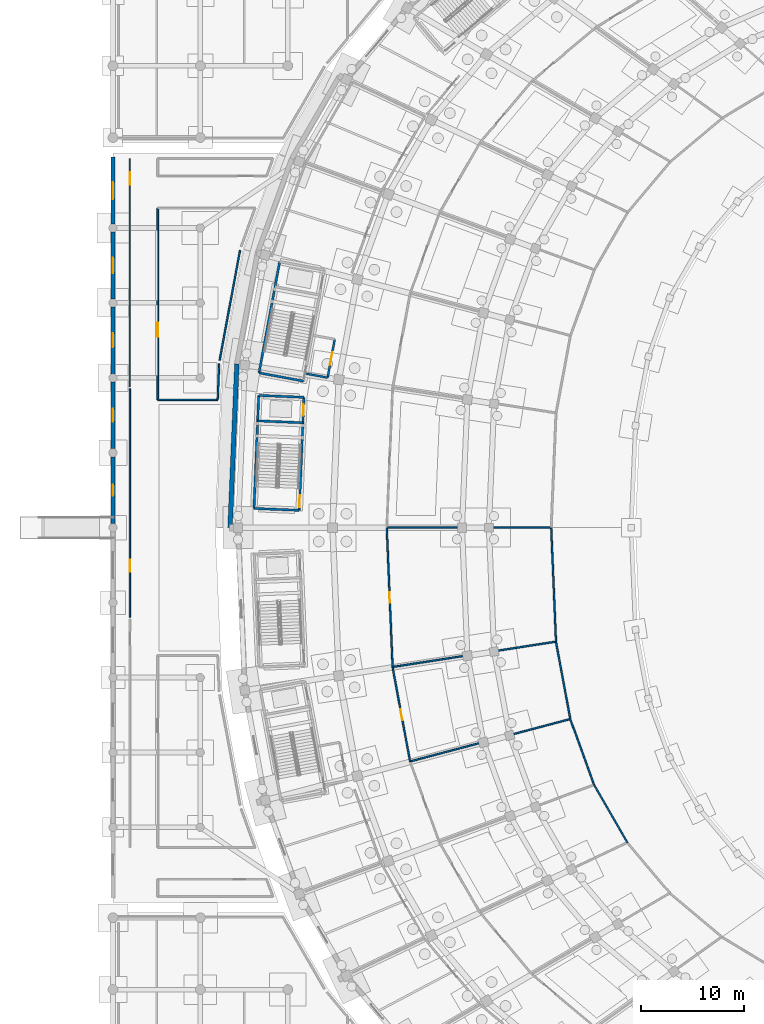
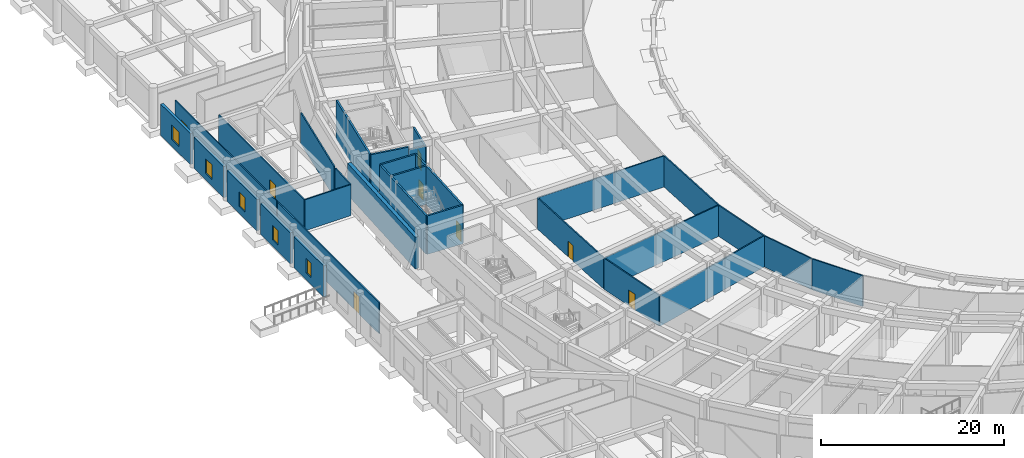
# One storey, part 46 of 88: 30 walls, 8 doors, 5 windows, 13 openings.
"""IFC4 building model written with IfcOpenShell, lengths in metres."""

from ifc_helpers import new_model, si_unit, direction, frame, frame_2d, origin, place, context, subcontext, project, spatial, rectangle, extrude, material, layer, layer_set, type_object, element, fill, save


model = new_model("IFC4")

# Units and contexts
model_context = context("Model", 3, precision=1e-05, world=origin(), true_north=direction((0.0, 1.0)))
body_context = subcontext(model_context, "Body", "Model", "MODEL_VIEW")
ifc_project = project(units=[si_unit("LENGTHUNIT", "METRE"), si_unit("AREAUNIT", "SQUARE_METRE"), si_unit("VOLUMEUNIT", "CUBIC_METRE"), si_unit("PLANEANGLEUNIT", "RADIAN"), si_unit("MASSUNIT", "GRAM", prefix="KILO")], contexts=[model_context])

# Site, building, storey
site_placement = place(None, origin())
site = spatial("IfcSite", under=ifc_project, at=site_placement, CompositionType="ELEMENT")
building_placement = place(site_placement, origin())
building = spatial("IfcBuilding", under=site, at=building_placement, Name="Mphavela Belvedere Stadium", CompositionType="ELEMENT")
storey_placement = place(building_placement, origin())
storey = spatial("IfcBuildingStorey", under=building, at=storey_placement, Name="L00", CompositionType="ELEMENT", Elevation=0.0)

# Walls
ifc_material_1 = material(Name="Concrete C40/50", Category="concrete")
ifc_layer_1 = layer(ifc_material_1, 0.219970703125)
ifc_layer_set_1 = layer_set([ifc_layer_1], Name="Concrete C40/50")
wall_type_1 = type_object("IfcWallType", Name="WAL-CORE-SHEAR-220", PredefinedType="SHEAR", material=ifc_layer_set_1)
wall_1_placement = place(storey_placement, frame((14.228271484375, 102.085205078125, 0.0), z_axis=(0.0, 0.0, 1.0), x_axis=(0.182574755222, 0.983191974517, 0.0)))
element("IfcWall", 1, at=wall_1_placement, inside=storey, type_object=wall_type_1, Name="Core C06 shear wall L00 rear", PredefinedType="SHEAR", context=body_context, shape_type="SweptSolid", body=[
    extrude(rectangle(XDim=11.02001953125, YDim=0.219970703125, at=frame_2d((5.510009765625, 0.0))), origin(), (0.0, 0.0, 1.0), 5.14990234375),
])
wall_2_placement = place(storey_placement, frame((18.56396484375, 101.27978515625, 0.0), z_axis=(0.0, 0.0, 1.0), x_axis=(-0.983179789985, 0.182640358532, 0.0)))
element("IfcWall", 2, at=wall_2_placement, inside=storey, type_object=wall_type_1, Name="Core C06 shear wall L00 left", PredefinedType="SHEAR", context=body_context, shape_type="SweptSolid", body=[
    extrude(rectangle(XDim=4.409912109375, YDim=0.219970703125, at=frame_2d((2.205078125, 0.0))), origin(), (0.0, 0.0, 1.0), 5.14990234375),
])
wall_3_placement = place(storey_placement, frame((13.737548828125, 88.87548828125, 0.0), z_axis=(0.0, 0.0, 1.0), x_axis=(0.041871977473, 0.999122984173, 0.0)))
element("IfcWall", 3, at=wall_3_placement, inside=storey, type_object=wall_type_1, Name="Core C07 shear wall L00 rear", PredefinedType="SHEAR", context=body_context, shape_type="SweptSolid", body=[
    extrude(rectangle(XDim=11.02001953125, YDim=0.219970703125, at=frame_2d((5.510009765625, 0.0))), origin(), (0.0, 0.0, 1.0), 5.14990234375),
])
wall_4_placement = place(storey_placement, frame((18.143798828125, 88.69091796875, 0.0), z_axis=(0.0, 0.0, 1.0), x_axis=(-0.999123838087, 0.041851596941, 0.0)))
element("IfcWall", 4, at=wall_4_placement, inside=storey, type_object=wall_type_1, Name="Core C07 shear wall L00 left", PredefinedType="SHEAR", context=body_context, shape_type="SweptSolid", body=[
    extrude(rectangle(XDim=4.41015625, YDim=0.219970703125, at=frame_2d((2.205078125, 0.0))), origin(), (0.0, 0.0, 1.0), 5.14990234375),
])
wall_5_placement = place(storey_placement, frame((18.60498046875, 99.701171875, 0.0), z_axis=(0.0, 0.0, 1.0), x_axis=(-0.999123741114, 0.041853911912, 0.0)))
element("IfcWall", 5, at=wall_5_placement, inside=storey, type_object=wall_type_1, Name="Core C07 shear wall L00 right", PredefinedType="SHEAR", context=body_context, shape_type="SweptSolid", body=[
    extrude(rectangle(XDim=4.409912109375, YDim=0.219970703125, at=frame_2d((2.205078125, 0.0))), origin(), (0.0, 0.0, 1.0), 5.14990234375),
])

# Wall, openings, doors
wall_6_placement = place(storey_placement, frame((18.143798828125, 88.69091796875, 0.0), z_axis=(0.0, 0.0, 1.0), x_axis=(0.0418498618, 0.999123910768, 0.0)))
wall_6 = element("IfcWall", 6, at=wall_6_placement, inside=storey, type_object=wall_type_1, Name="Core C07 shear wall L00 front", PredefinedType="SHEAR", context=body_context, shape_type="SweptSolid", body=[
    extrude(rectangle(XDim=11.02001953125, YDim=0.219970703125, at=frame_2d((5.510009765625, 0.0))), origin(), (0.0, 0.0, 1.0), 5.14990234375),
])
opening_1_placement = place(wall_6_placement, frame((0.300048828125, 0.0, 0.0)))
opening_1 = element("IfcOpeningElement", 7, at=opening_1_placement, cuts=wall_6, Name="Opening SD-033", PredefinedType="OPENING", context=body_context, shape_type="SweptSolid", body=[
    extrude(rectangle(XDim=1.14990234375, YDim=2.14990234375, at=frame_2d((0.574951171875, 1.074951171875))), frame((0.0, 0.1201171875, 0.0), z_axis=(0.0, -1.0, 0.0), x_axis=(1.0, 0.0, 0.0)), (0.0, 0.0, 1.0), 0.239990234375),
])
opening_2_placement = place(wall_6_placement, frame((9.22998046875, 0.0, 0.0)))
opening_2 = element("IfcOpeningElement", 8, at=opening_2_placement, cuts=wall_6, Name="Opening LD-033", PredefinedType="OPENING", context=body_context, shape_type="SweptSolid", body=[
    extrude(rectangle(XDim=1.10009765625, YDim=2.14990234375, at=frame_2d((0.550048828125, 1.074951171875))), frame((0.0, 0.1201171875, 0.0), z_axis=(0.0, -1.0, 0.0), x_axis=(1.0, 0.0, 0.0)), (0.0, 0.0, 1.0), 0.239990234375),
])
ifc_material_2 = material(Name="Stainless steel center-parting lift landing door", Category="steel")
door_type_1 = type_object("IfcDoorType", Name="DR-LIFT-SLIDE-1100", OperationType="NOTDEFINED", PredefinedType="DOOR", material=ifc_material_2)
door_1_placement = place(opening_2_placement, origin())
door_1 = element("IfcDoor", 9, at=door_1_placement, inside=storey, type_object=door_type_1, Name="Lift landing sliding door PL03 L00", OperationType="DOUBLE_DOOR_SLIDING", OverallHeight=2.14990234375, OverallWidth=1.10009765625, PredefinedType="DOOR", context=body_context, shape_type="SweptSolid", body=[
    extrude(rectangle(XDim=1.10009765625, YDim=2.14990234375, at=frame_2d((0.550048828125, 1.074951171875))), frame((0.0, 0.02490234375, 0.0), z_axis=(0.0, -1.0, 0.0), x_axis=(1.0, 0.0, 0.0)), (0.0, 0.0, 1.0), 0.050048828125),
])
fill(opening_2, door_1)
ifc_material_3 = material(Name="Steel acoustic fire-resisting stair doorset", Category="steel")
door_type_2 = type_object("IfcDoorType", Name="DR-STAIR-FIRE-1150", OperationType="NOTDEFINED", PredefinedType="DOOR", material=ifc_material_3)
door_2_placement = place(opening_1_placement, origin())
door_2 = element("IfcDoor", 10, at=door_2_placement, inside=storey, type_object=door_type_2, Name="Escape stair fire door C07 L00", OperationType="SINGLE_SWING_LEFT", OverallHeight=2.14990234375, OverallWidth=1.14990234375, PredefinedType="DOOR", context=body_context, shape_type="SweptSolid", body=[
    extrude(rectangle(XDim=1.14990234375, YDim=2.14990234375, at=frame_2d((0.574951171875, 1.074951171875))), frame((0.0, 0.02490234375, 0.0), z_axis=(0.0, -1.0, 0.0), x_axis=(1.0, 0.0, 0.0)), (0.0, 0.0, 1.0), 0.050048828125),
])
fill(opening_1, door_2)

# Wall
wall_7_placement = place(storey_placement, frame((18.501220703125, 97.223388671875, 0.0), z_axis=(0.0, 0.0, 1.0), x_axis=(-0.999123741114, 0.041853911912, 0.0)))
element("IfcWall", 11, at=wall_7_placement, inside=storey, type_object=wall_type_1, Name="Core C07 shear wall L00 div", PredefinedType="SHEAR", context=body_context, shape_type="SweptSolid", body=[
    extrude(rectangle(XDim=4.409912109375, YDim=0.219970703125, at=frame_2d((2.205078125, 0.0))), origin(), (0.0, 0.0, 1.0), 5.14990234375),
])

# Wall, opening, window
ifc_material_4 = material(Name="Honed ashlar limestone masonry", Category="masonry")
ifc_layer_2 = layer(ifc_material_4, 0.35009765625)
ifc_layer_set_2 = layer_set([ifc_layer_2], Name="Honed ashlar limestone masonry")
wall_type_2 = type_object("IfcWallType", Name="WAL-EXT-ASHLAR-350", PredefinedType="STANDARD", material=ifc_layer_set_2)
wall_8_placement = place(storey_placement, frame((0.0, 87.39794921875, 0.0), z_axis=(0.0, 0.0, 1.0), x_axis=(0.0, 1.0, 0.0)))
wall_8 = element("IfcWall", 12, at=wall_8_placement, inside=storey, type_object=wall_type_2, Name="West Planted Eaves Peristyle Colonnade outer facade bay L00-06", PredefinedType="STANDARD", context=body_context, shape_type="SweptSolid", body=[
    extrude(rectangle(XDim=6.504150390625, YDim=0.35009765625, at=frame_2d((3.251953125, 0.0))), origin(), (0.0, 0.0, 1.0), 4.159912109375),
])
opening_3_placement = place(wall_8_placement, frame((2.701904296875, 0.0, 0.89990234375)))
opening_3 = element("IfcOpeningElement", 13, at=opening_3_placement, cuts=wall_8, Name="Opening W-243", PredefinedType="OPENING", context=body_context, shape_type="SweptSolid", body=[
    extrude(rectangle(XDim=1.10009765625, YDim=1.949951171875, at=frame_2d((0.550048828125, 0.97509765625))), frame((0.0, 0.18505859375, 0.0), z_axis=(0.0, -1.0, 0.0), x_axis=(1.0, 0.0, 0.0)), (0.0, 0.0, 1.0), 0.3701171875),
])
ifc_material_5 = material(Name="Bronze-anodised thermally broken aluminium window", Category="aluminium")
window_type_1 = type_object("IfcWindowType", Name="WIN-EXT-23", PartitioningType="SINGLE_PANEL", PredefinedType="WINDOW", material=ifc_material_5)
window_1_placement = place(opening_3_placement, origin())
window_1 = element("IfcWindow", 14, at=window_1_placement, inside=storey, type_object=window_type_1, Name="West Planted Eaves Peristyle Colonnade classical window W-243", OverallHeight=1.949951171875, OverallWidth=1.10009765625, PartitioningType="SINGLE_PANEL", PredefinedType="WINDOW", context=body_context, shape_type="SweptSolid", body=[
    extrude(rectangle(XDim=1.10009765625, YDim=1.949951171875, at=frame_2d((0.550048828125, 0.97509765625))), frame((0.0, 0.030029296875, 0.0), z_axis=(0.0, -1.0, 0.0), x_axis=(1.0, 0.0, 0.0)), (0.0, 0.0, 1.0), 0.06005859375),
])
fill(opening_3, window_1)

wall_9_placement = place(storey_placement, frame((0.0, 94.697998046875, 0.0), z_axis=(0.0, 0.0, 1.0), x_axis=(0.0, 1.0, 0.0)))
wall_9 = element("IfcWall", 15, at=wall_9_placement, inside=storey, type_object=wall_type_2, Name="West Planted Eaves Peristyle Colonnade outer facade bay L00-07", PredefinedType="STANDARD", context=body_context, shape_type="SweptSolid", body=[
    extrude(rectangle(XDim=6.50390625, YDim=0.35009765625, at=frame_2d((3.251953125, 0.0))), origin(), (0.0, 0.0, 1.0), 4.159912109375),
])
opening_4_placement = place(wall_9_placement, frame((2.632080078125, 0.0, 0.89990234375)))
opening_4 = element("IfcOpeningElement", 16, at=opening_4_placement, cuts=wall_9, Name="Opening W-244", PredefinedType="OPENING", context=body_context, shape_type="SweptSolid", body=[
    extrude(rectangle(XDim=1.239990234375, YDim=1.949951171875, at=frame_2d((0.6201171875, 0.97509765625))), frame((0.0, 0.18505859375, 0.0), z_axis=(0.0, -1.0, 0.0), x_axis=(1.0, 0.0, 0.0)), (0.0, 0.0, 1.0), 0.3701171875),
])
ifc_material_6 = material(Name="Bronze-anodised thermally broken aluminium window", Category="aluminium")
window_type_2 = type_object("IfcWindowType", Name="WIN-EXT-24", PartitioningType="SINGLE_PANEL", PredefinedType="WINDOW", material=ifc_material_6)
window_2_placement = place(opening_4_placement, origin())
window_2 = element("IfcWindow", 17, at=window_2_placement, inside=storey, type_object=window_type_2, Name="West Planted Eaves Peristyle Colonnade classical window W-244", OverallHeight=1.949951171875, OverallWidth=1.239990234375, PartitioningType="SINGLE_PANEL", PredefinedType="WINDOW", context=body_context, shape_type="SweptSolid", body=[
    extrude(rectangle(XDim=1.239990234375, YDim=1.949951171875, at=frame_2d((0.6201171875, 0.97509765625))), frame((0.0, 0.030029296875, 0.0), z_axis=(0.0, -1.0, 0.0), x_axis=(1.0, 0.0, 0.0)), (0.0, 0.0, 1.0), 0.06005859375),
])
fill(opening_4, window_2)

wall_10_placement = place(storey_placement, frame((0.0, 101.998046875, 0.0), z_axis=(0.0, 0.0, 1.0), x_axis=(0.0, 1.0, 0.0)))
wall_10 = element("IfcWall", 18, at=wall_10_placement, inside=storey, type_object=wall_type_2, Name="West Planted Eaves Peristyle Colonnade outer facade bay L00-08", PredefinedType="STANDARD", context=body_context, shape_type="SweptSolid", body=[
    extrude(rectangle(XDim=6.50390625, YDim=0.35009765625, at=frame_2d((3.251953125, 0.0))), origin(), (0.0, 0.0, 1.0), 4.159912109375),
])
opening_5_placement = place(wall_10_placement, frame((2.56201171875, 0.0, 0.89990234375)))
opening_5 = element("IfcOpeningElement", 19, at=opening_5_placement, cuts=wall_10, Name="Opening W-245", PredefinedType="OPENING", context=body_context, shape_type="SweptSolid", body=[
    extrude(rectangle(XDim=1.3798828125, YDim=1.949951171875, at=frame_2d((0.68994140625, 0.97509765625))), frame((0.0, 0.18505859375, 0.0), z_axis=(0.0, -1.0, 0.0), x_axis=(1.0, 0.0, 0.0)), (0.0, 0.0, 1.0), 0.3701171875),
])
ifc_material_7 = material(Name="Bronze-anodised thermally broken aluminium window", Category="aluminium")
window_type_3 = type_object("IfcWindowType", Name="WIN-EXT-25", PartitioningType="SINGLE_PANEL", PredefinedType="WINDOW", material=ifc_material_7)
window_3_placement = place(opening_5_placement, origin())
window_3 = element("IfcWindow", 20, at=window_3_placement, inside=storey, type_object=window_type_3, Name="West Planted Eaves Peristyle Colonnade classical window W-245", OverallHeight=1.949951171875, OverallWidth=1.3798828125, PartitioningType="SINGLE_PANEL", PredefinedType="WINDOW", context=body_context, shape_type="SweptSolid", body=[
    extrude(rectangle(XDim=1.3798828125, YDim=1.949951171875, at=frame_2d((0.68994140625, 0.97509765625))), frame((0.0, 0.030029296875, 0.0), z_axis=(0.0, -1.0, 0.0), x_axis=(1.0, 0.0, 0.0)), (0.0, 0.0, 1.0), 0.06005859375),
])
fill(opening_5, window_3)

wall_11_placement = place(storey_placement, frame((0.0, 109.298095703125, 0.0), z_axis=(0.0, 0.0, 1.0), x_axis=(0.0, 1.0, 0.0)))
wall_11 = element("IfcWall", 21, at=wall_11_placement, inside=storey, type_object=wall_type_2, Name="West Planted Eaves Peristyle Colonnade outer facade bay L00-09", PredefinedType="STANDARD", context=body_context, shape_type="SweptSolid", body=[
    extrude(rectangle(XDim=6.50390625, YDim=0.35009765625, at=frame_2d((3.251953125, 0.0))), origin(), (0.0, 0.0, 1.0), 4.159912109375),
])
opening_6_placement = place(wall_11_placement, frame((2.491943359375, 0.0, 0.89990234375)))
opening_6 = element("IfcOpeningElement", 22, at=opening_6_placement, cuts=wall_11, Name="Opening W-246", PredefinedType="OPENING", context=body_context, shape_type="SweptSolid", body=[
    extrude(rectangle(XDim=1.52001953125, YDim=1.949951171875, at=frame_2d((0.760009765625, 0.97509765625))), frame((0.0, 0.18505859375, 0.0), z_axis=(0.0, -1.0, 0.0), x_axis=(1.0, 0.0, 0.0)), (0.0, 0.0, 1.0), 0.3701171875),
])
ifc_material_8 = material(Name="Bronze-anodised thermally broken aluminium window", Category="aluminium")
window_type_4 = type_object("IfcWindowType", Name="WIN-EXT-26", PartitioningType="SINGLE_PANEL", PredefinedType="WINDOW", material=ifc_material_8)
window_4_placement = place(opening_6_placement, origin())
window_4 = element("IfcWindow", 23, at=window_4_placement, inside=storey, type_object=window_type_4, Name="West Planted Eaves Peristyle Colonnade classical window W-246", OverallHeight=1.949951171875, OverallWidth=1.52001953125, PartitioningType="SINGLE_PANEL", PredefinedType="WINDOW", context=body_context, shape_type="SweptSolid", body=[
    extrude(rectangle(XDim=1.52001953125, YDim=1.949951171875, at=frame_2d((0.760009765625, 0.97509765625))), frame((0.0, 0.030029296875, 0.0), z_axis=(0.0, -1.0, 0.0), x_axis=(1.0, 0.0, 0.0)), (0.0, 0.0, 1.0), 0.06005859375),
])
fill(opening_6, window_4)

wall_12_placement = place(storey_placement, frame((0.0, 116.597900390625, 0.0), z_axis=(0.0, 0.0, 1.0), x_axis=(0.0, 1.0, 0.0)))
wall_12 = element("IfcWall", 24, at=wall_12_placement, inside=storey, type_object=wall_type_2, Name="West Planted Eaves Peristyle Colonnade outer facade bay L00-10", PredefinedType="STANDARD", context=body_context, shape_type="SweptSolid", body=[
    extrude(rectangle(XDim=6.504150390625, YDim=0.35009765625, at=frame_2d((3.251953125, 0.0))), origin(), (0.0, 0.0, 1.0), 4.159912109375),
])
opening_7_placement = place(wall_12_placement, frame((2.422119140625, 0.0, 0.89990234375)))
opening_7 = element("IfcOpeningElement", 25, at=opening_7_placement, cuts=wall_12, Name="Opening W-247", PredefinedType="OPENING", context=body_context, shape_type="SweptSolid", body=[
    extrude(rectangle(XDim=1.659912109375, YDim=1.949951171875, at=frame_2d((0.830078125, 0.97509765625))), frame((0.0, 0.18505859375, 0.0), z_axis=(0.0, -1.0, 0.0), x_axis=(1.0, 0.0, 0.0)), (0.0, 0.0, 1.0), 0.3701171875),
])
ifc_material_9 = material(Name="Bronze-anodised thermally broken aluminium window", Category="aluminium")
window_type_5 = type_object("IfcWindowType", Name="WIN-EXT-27", PartitioningType="SINGLE_PANEL", PredefinedType="WINDOW", material=ifc_material_9)
window_5_placement = place(opening_7_placement, origin())
window_5 = element("IfcWindow", 26, at=window_5_placement, inside=storey, type_object=window_type_5, Name="West Planted Eaves Peristyle Colonnade classical window W-247", OverallHeight=1.949951171875, OverallWidth=1.659912109375, PartitioningType="SINGLE_PANEL", PredefinedType="WINDOW", context=body_context, shape_type="SweptSolid", body=[
    extrude(rectangle(XDim=1.659912109375, YDim=1.949951171875, at=frame_2d((0.830078125, 0.97509765625))), frame((0.0, 0.030029296875, 0.0), z_axis=(0.0, -1.0, 0.0), x_axis=(1.0, 0.0, 0.0)), (0.0, 0.0, 1.0), 0.06005859375),
])
fill(opening_7, window_5)

# Wall, opening, door
ifc_material_10 = material(Name="Moisture-resistant sanitary partition assembly")
ifc_layer_3 = layer(ifc_material_10, 0.125)
ifc_layer_set_3 = layer_set([ifc_layer_3], Name="Moisture-resistant sanitary partition assembly")
wall_type_3 = type_object("IfcWallType", Name="WAL-PART-125", PredefinedType="PARTITIONING", material=ifc_layer_set_3)
wall_13_placement = place(storey_placement, frame((1.639892578125, 122.949951171875, 0.0), z_axis=(0.0, 0.0, 1.0), x_axis=(0.0, -1.0, 0.0)))
wall_13 = element("IfcWall", 27, at=wall_13_placement, inside=storey, type_object=wall_type_3, Name="Room L00-201 corridor partition", PredefinedType="PARTITIONING", context=body_context, shape_type="SweptSolid", body=[
    extrude(rectangle(XDim=22.22998046875, YDim=0.125, at=frame_2d((11.114990234375, 0.0))), origin(), (0.0, 0.0, 1.0), 4.14990234375),
])
opening_8_placement = place(wall_13_placement, frame((1.33837890625, 0.0, 0.0)))
opening_8 = element("IfcOpeningElement", 28, at=opening_8_placement, cuts=wall_13, Name="Opening ID-501", PredefinedType="OPENING", context=body_context, shape_type="SweptSolid", body=[
    extrude(rectangle(XDim=1.219970703125, YDim=2.300048828125, at=frame_2d((0.60986328125, 1.14990234375))), frame((0.0, 0.072509765625, 0.0), z_axis=(0.0, -1.0, 0.0), x_axis=(1.0, 0.0, 0.0)), (0.0, 0.0, 1.0), 0.14501953125),
])
ifc_material_11 = material(Name="Hardwood acoustic timber doorset", Category="wood")
door_type_3 = type_object("IfcDoorType", Name="DR-INT-33", OperationType="NOTDEFINED", PredefinedType="DOOR", material=ifc_material_11)
door_3_placement = place(opening_8_placement, origin())
door_3 = element("IfcDoor", 29, at=door_3_placement, inside=storey, type_object=door_type_3, Name="Room L00-201 entrance door ID-501", OperationType="SINGLE_SWING_LEFT", OverallHeight=2.300048828125, OverallWidth=1.219970703125, PredefinedType="DOOR", context=body_context, shape_type="SweptSolid", body=[
    extrude(rectangle(XDim=1.219970703125, YDim=2.300048828125, at=frame_2d((0.60986328125, 1.14990234375))), frame((0.0, 0.02490234375, 0.0), z_axis=(0.0, -1.0, 0.0), x_axis=(1.0, 0.0, 0.0)), (0.0, 0.0, 1.0), 0.050048828125),
])
fill(opening_8, door_3)

ifc_material_12 = material(Name="Acoustic gypsum stud partition assembly")
ifc_layer_4 = layer(ifc_material_12, 0.14990234375)
ifc_layer_set_4 = layer_set([ifc_layer_4], Name="Acoustic gypsum stud partition assembly")
wall_type_4 = type_object("IfcWallType", Name="WAL-PART-150", PredefinedType="PARTITIONING", material=ifc_layer_set_4)
wall_14_placement = place(storey_placement, frame((27.2421875, 73.4287109375, 0.0), z_axis=(0.0, 0.0, 1.0), x_axis=(-0.041894479342, 0.999122040894, 0.0)))
wall_14 = element("IfcWall", 30, at=wall_14_placement, inside=storey, type_object=wall_type_4, Name="Room L00-97 corridor partition", PredefinedType="PARTITIONING", context=body_context, shape_type="SweptSolid", body=[
    extrude(rectangle(XDim=13.543212890625, YDim=0.14990234375, at=frame_2d((6.771484375, 0.0))), origin(), (0.0, 0.0, 1.0), 4.14990234375),
])
opening_9_placement = place(wall_14_placement, frame((6.26171875, 0.0, 0.0)))
opening_9 = element("IfcOpeningElement", 31, at=opening_9_placement, cuts=wall_14, Name="Opening ID-040", PredefinedType="OPENING", context=body_context, shape_type="SweptSolid", body=[
    extrude(rectangle(XDim=1.02001953125, YDim=2.10009765625, at=frame_2d((0.510009765625, 1.050048828125))), frame((0.0, 0.0849609375, 0.0), z_axis=(0.0, -1.0, 0.0), x_axis=(1.0, 0.0, 0.0)), (0.0, 0.0, 1.0), 0.169921875),
])
ifc_material_13 = material(Name="Hardwood acoustic timber doorset", Category="wood")
door_type_4 = type_object("IfcDoorType", Name="DR-INT-04", OperationType="NOTDEFINED", PredefinedType="DOOR", material=ifc_material_13)
door_4_placement = place(opening_9_placement, origin())
door_4 = element("IfcDoor", 32, at=door_4_placement, inside=storey, type_object=door_type_4, Name="Room L00-97 entrance door ID-040", OperationType="SINGLE_SWING_RIGHT", OverallHeight=2.10009765625, OverallWidth=1.02001953125, PredefinedType="DOOR", context=body_context, shape_type="SweptSolid", body=[
    extrude(rectangle(XDim=1.02001953125, YDim=2.10009765625, at=frame_2d((0.510009765625, 1.050048828125))), frame((0.0, 0.02490234375, 0.0), z_axis=(0.0, -1.0, 0.0), x_axis=(1.0, 0.0, 0.0)), (0.0, 0.0, 1.0), 0.050048828125),
])
fill(opening_9, door_4)

wall_15_placement = place(storey_placement, frame((28.946533203125, 64.220947265625, 0.0), z_axis=(0.0, 0.0, 1.0), x_axis=(-0.182600545941, 0.983187184936, 0.0)))
wall_15 = element("IfcWall", 33, at=wall_15_placement, inside=storey, type_object=wall_type_4, Name="Room L00-99 corridor partition", PredefinedType="PARTITIONING", context=body_context, shape_type="SweptSolid", body=[
    extrude(rectangle(XDim=9.2841796875, YDim=0.14990234375, at=frame_2d((4.64208984375, 0.0))), origin(), (0.0, 0.0, 1.0), 4.14990234375),
])
opening_10_placement = place(wall_15_placement, frame((4.112060546875, 0.0, 0.0)))
opening_10 = element("IfcOpeningElement", 34, at=opening_10_placement, cuts=wall_15, Name="Opening ID-041", PredefinedType="OPENING", context=body_context, shape_type="SweptSolid", body=[
    extrude(rectangle(XDim=1.06005859375, YDim=2.10009765625, at=frame_2d((0.530029296875, 1.050048828125))), frame((0.0, 0.0849609375, 0.0), z_axis=(0.0, -1.0, 0.0), x_axis=(1.0, 0.0, 0.0)), (0.0, 0.0, 1.0), 0.169921875),
])
ifc_material_14 = material(Name="Hardwood acoustic timber doorset", Category="wood")
door_type_5 = type_object("IfcDoorType", Name="DR-INT-05", OperationType="NOTDEFINED", PredefinedType="DOOR", material=ifc_material_14)
door_5_placement = place(opening_10_placement, origin())
door_5 = element("IfcDoor", 35, at=door_5_placement, inside=storey, type_object=door_type_5, Name="Room L00-99 entrance door ID-041", OperationType="SINGLE_SWING_LEFT", OverallHeight=2.10009765625, OverallWidth=1.06005859375, PredefinedType="DOOR", context=body_context, shape_type="SweptSolid", body=[
    extrude(rectangle(XDim=1.06005859375, YDim=2.10009765625, at=frame_2d((0.530029296875, 1.050048828125))), frame((0.0, 0.02490234375, 0.0), z_axis=(0.0, -1.0, 0.0), x_axis=(1.0, 0.0, 0.0)), (0.0, 0.0, 1.0), 0.050048828125),
])
fill(opening_10, door_5)

wall_16_placement = place(storey_placement, frame((1.639892578125, 100.52001953125, 0.0), z_axis=(0.0, 0.0, 1.0), x_axis=(0.0, -1.0, 0.0)))
wall_16 = element("IfcWall", 36, at=wall_16_placement, inside=storey, type_object=wall_type_4, Name="Room L00-200 corridor partition", PredefinedType="PARTITIONING", context=body_context, shape_type="SweptSolid", body=[
    extrude(rectangle(XDim=22.22998046875, YDim=0.14990234375, at=frame_2d((11.114990234375, 0.0))), origin(), (0.0, 0.0, 1.0), 4.14990234375),
])
opening_11_placement = place(wall_16_placement, frame((16.64794921875, 0.0, 0.0)))
opening_11 = element("IfcOpeningElement", 37, at=opening_11_placement, cuts=wall_16, Name="Opening ID-500", PredefinedType="OPENING", context=body_context, shape_type="SweptSolid", body=[
    extrude(rectangle(XDim=1.179931640625, YDim=2.300048828125, at=frame_2d((0.58984375, 1.14990234375))), frame((0.0, 0.0849609375, 0.0), z_axis=(0.0, -1.0, 0.0), x_axis=(1.0, 0.0, 0.0)), (0.0, 0.0, 1.0), 0.169921875),
])
ifc_material_15 = material(Name="Hardwood acoustic timber doorset", Category="wood")
door_type_6 = type_object("IfcDoorType", Name="DR-INT-32", OperationType="NOTDEFINED", PredefinedType="DOOR", material=ifc_material_15)
door_6_placement = place(opening_11_placement, origin())
door_6 = element("IfcDoor", 38, at=door_6_placement, inside=storey, type_object=door_type_6, Name="Room L00-200 entrance door ID-500", OperationType="SINGLE_SWING_RIGHT", OverallHeight=2.300048828125, OverallWidth=1.179931640625, PredefinedType="DOOR", context=body_context, shape_type="SweptSolid", body=[
    extrude(rectangle(XDim=1.179931640625, YDim=2.300048828125, at=frame_2d((0.58984375, 1.14990234375))), frame((0.0, 0.02490234375, 0.0), z_axis=(0.0, -1.0, 0.0), x_axis=(1.0, 0.0, 0.0)), (0.0, 0.0, 1.0), 0.050048828125),
])
fill(opening_11, door_6)

wall_17_placement = place(storey_placement, frame((4.360107421875, 99.449951171875, 0.0), z_axis=(0.0, 0.0, 1.0), x_axis=(0.0, 1.0, 0.0)))
wall_17 = element("IfcWall", 39, at=wall_17_placement, inside=storey, type_object=wall_type_4, Name="Room L00-203 corridor partition", PredefinedType="PARTITIONING", context=body_context, shape_type="SweptSolid", body=[
    extrude(rectangle(XDim=18.68994140625, YDim=0.14990234375, at=frame_2d((9.344970703125, 0.0))), origin(), (0.0, 0.0, 1.0), 4.14990234375),
])
opening_12_placement = place(wall_17_placement, frame((6.175537109375, 0.0, 0.0)))
opening_12 = element("IfcOpeningElement", 40, at=opening_12_placement, cuts=wall_17, Name="Opening ID-503", PredefinedType="OPENING", context=body_context, shape_type="SweptSolid", body=[
    extrude(rectangle(XDim=1.320068359375, YDim=2.300048828125, at=frame_2d((0.66015625, 1.14990234375))), frame((0.0, 0.0849609375, 0.0), z_axis=(0.0, -1.0, 0.0), x_axis=(1.0, 0.0, 0.0)), (0.0, 0.0, 1.0), 0.169921875),
])
ifc_material_16 = material(Name="Hardwood acoustic timber doorset", Category="wood")
door_type_7 = type_object("IfcDoorType", Name="DR-INT-35", OperationType="NOTDEFINED", PredefinedType="DOOR", material=ifc_material_16)
door_7_placement = place(opening_12_placement, origin())
door_7 = element("IfcDoor", 41, at=door_7_placement, inside=storey, type_object=door_type_7, Name="Room L00-203 entrance door ID-503", OperationType="SINGLE_SWING_LEFT", OverallHeight=2.300048828125, OverallWidth=1.320068359375, PredefinedType="DOOR", context=body_context, shape_type="SweptSolid", body=[
    extrude(rectangle(XDim=1.320068359375, YDim=2.300048828125, at=frame_2d((0.66015625, 1.14990234375))), frame((0.0, 0.02490234375, 0.0), z_axis=(0.0, -1.0, 0.0), x_axis=(1.0, 0.0, 0.0)), (0.0, 0.0, 1.0), 0.050048828125),
])
fill(opening_12, door_7)

# Walls
wall_18_placement = place(storey_placement, frame((42.696533203125, 87.0400390625, 0.0), z_axis=(0.0, 0.0, 1.0), x_axis=(-1.0, 0.0, 0.0)))
element("IfcWall", 42, at=wall_18_placement, inside=storey, type_object=wall_type_4, Name="Room divider partition L00-0071", PredefinedType="PARTITIONING", context=body_context, shape_type="SweptSolid", body=[
    extrude(rectangle(XDim=16.021728515625, YDim=0.14990234375, at=frame_2d((8.0107421875, 0.0))), origin(), (0.0, 0.0, 1.0), 4.14990234375),
])
wall_19_placement = place(storey_placement, frame((42.696533203125, 86.9599609375, 0.0), z_axis=(0.0, 0.0, 1.0), x_axis=(0.041917617243, -0.999121070424, 0.0)))
element("IfcWall", 43, at=wall_19_placement, inside=storey, type_object=wall_type_4, Name="Room divider partition L00-0072", PredefinedType="PARTITIONING", context=body_context, shape_type="SweptSolid", body=[
    extrude(rectangle(XDim=11.072021484375, YDim=0.14990234375, at=frame_2d((5.5361328125, 0.0))), origin(), (0.0, 0.0, 1.0), 4.14990234375),
])
wall_20_placement = place(storey_placement, frame((43.16064453125, 75.897705078125, 0.0), z_axis=(0.0, 0.0, 1.0), x_axis=(-0.988184353902, -0.153269966734, 0.0)))
element("IfcWall", 44, at=wall_20_placement, inside=storey, type_object=wall_type_4, Name="Room divider partition L00-0073", PredefinedType="PARTITIONING", context=body_context, shape_type="SweptSolid", body=[
    extrude(rectangle(XDim=16.10888671875, YDim=0.14990234375, at=frame_2d((8.054443359375, 0.0))), origin(), (0.0, 0.0, 1.0), 4.14990234375),
])
wall_21_placement = place(storey_placement, frame((43.169921875, 75.818115234375, 0.0), z_axis=(0.0, 0.0, 1.0), x_axis=(0.182622862121, -0.983183040044, 0.0)))
element("IfcWall", 45, at=wall_21_placement, inside=storey, type_object=wall_type_4, Name="Room divider partition L00-0074", PredefinedType="PARTITIONING", context=body_context, shape_type="SweptSolid", body=[
    extrude(rectangle(XDim=7.585205078125, YDim=0.14990234375, at=frame_2d((3.79248046875, 0.0))), origin(), (0.0, 0.0, 1.0), 4.14990234375),
])
wall_22_placement = place(storey_placement, frame((44.55517578125, 68.3603515625, 0.0), z_axis=(0.0, 0.0, 1.0), x_axis=(-0.966587096108, -0.256338420135, 0.0)))
element("IfcWall", 46, at=wall_22_placement, inside=storey, type_object=wall_type_4, Name="Room divider partition L00-0075", PredefinedType="PARTITIONING", context=body_context, shape_type="SweptSolid", body=[
    extrude(rectangle(XDim=16.148193359375, YDim=0.14990234375, at=frame_2d((8.07421875, 0.0))), origin(), (0.0, 0.0, 1.0), 4.14990234375),
])
wall_23_placement = place(storey_placement, frame((44.576171875, 68.283203125, 0.0), z_axis=(0.0, 0.0, 1.0), x_axis=(0.341039355212, -0.940049019039, 0.0)))
element("IfcWall", 47, at=wall_23_placement, inside=storey, type_object=wall_type_4, Name="Room divider partition L00-0076", PredefinedType="PARTITIONING", context=body_context, shape_type="SweptSolid", body=[
    extrude(rectangle(XDim=6.7421875, YDim=0.14990234375, at=frame_2d((3.37109375, 0.0))), origin(), (0.0, 0.0, 1.0), 4.14990234375),
])
wall_24_placement = place(storey_placement, frame((46.90869140625, 61.872314453125, 0.0), z_axis=(0.0, 0.0, 1.0), x_axis=(0.500568608351, -0.865696868617, 0.0)))
element("IfcWall", 48, at=wall_24_placement, inside=storey, type_object=wall_type_4, Name="Room divider partition L00-0079", PredefinedType="PARTITIONING", context=body_context, shape_type="SweptSolid", body=[
    extrude(rectangle(XDim=6.40087890625, YDim=0.14990234375, at=frame_2d((3.200439453125, 0.0))), origin(), (0.0, 0.0, 1.0), 4.14990234375),
])
wall_25_placement = place(storey_placement, frame((12.37744140625, 114.01904296875, 0.0), z_axis=(0.0, 0.0, 1.0), x_axis=(-0.182620957058, -0.983183393901, 0.0)))
element("IfcWall", 49, at=wall_25_placement, inside=storey, type_object=wall_type_4, Name="Room divider partition L00-1142", PredefinedType="PARTITIONING", context=body_context, shape_type="SweptSolid", body=[
    extrude(rectangle(XDim=10.90087890625, YDim=0.14990234375, at=frame_2d((5.450439453125, 0.0))), origin(), (0.0, 0.0, 1.0), 4.14990234375),
])
wall_26_placement = place(storey_placement, frame((10.3466796875, 102.94970703125, 0.0), z_axis=(0.0, 0.0, 1.0), x_axis=(-0.041888559174, -0.999122289117, 0.0)))
element("IfcWall", 50, at=wall_26_placement, inside=storey, type_object=wall_type_4, Name="Room divider partition L00-1143", PredefinedType="PARTITIONING", context=body_context, shape_type="SweptSolid", body=[
    extrude(rectangle(XDim=3.5029296875, YDim=0.14990234375, at=frame_2d((1.75146484375, 0.0))), origin(), (0.0, 0.0, 1.0), 4.14990234375),
])
wall_27_placement = place(storey_placement, frame((10.199951171875, 99.449951171875, 0.0), z_axis=(0.0, 0.0, 1.0), x_axis=(-1.0, 0.0, 0.0)))
element("IfcWall", 51, at=wall_27_placement, inside=storey, type_object=wall_type_4, Name="Room divider partition L00-1144", PredefinedType="PARTITIONING", context=body_context, shape_type="SweptSolid", body=[
    extrude(rectangle(XDim=5.83984375, YDim=0.14990234375, at=frame_2d((2.919921875, 0.0))), origin(), (0.0, 0.0, 1.0), 4.14990234375),
])

# Wall, opening, door
ifc_material_17 = material(Name="Fire-rated calcium silicate partition assembly")
ifc_layer_5 = layer(ifc_material_17, 0.199951171875)
ifc_layer_set_5 = layer_set([ifc_layer_5], Name="Fire-rated calcium silicate partition assembly")
wall_type_5 = type_object("IfcWallType", Name="WAL-PART-FF-200", PredefinedType="PARTITIONING", material=ifc_layer_set_5)
wall_28_placement = place(storey_placement, frame((20.909912109375, 101.6171875, 0.0), z_axis=(0.0, 0.0, 1.0), x_axis=(0.18258154775, 0.983190713148, 0.0)))
wall_28 = element("IfcWall", 52, at=wall_28_placement, inside=storey, type_object=wall_type_5, Name="Firefighting lobby front wall C06 L00", PredefinedType="PARTITIONING", context=body_context, shape_type="SweptSolid", body=[
    extrude(rectangle(XDim=3.80029296875, YDim=0.199951171875, at=frame_2d((1.900146484375, 0.0))), origin(), (0.0, 0.0, 1.0), 4.25),
])
opening_13_placement = place(wall_28_placement, frame((1.300048828125, 0.0, 0.0)))
opening_13 = element("IfcOpeningElement", 53, at=opening_13_placement, cuts=wall_28, Name="Opening FD-011", PredefinedType="OPENING", context=body_context, shape_type="SweptSolid", body=[
    extrude(rectangle(XDim=1.199951171875, YDim=2.179931640625, at=frame_2d((0.60009765625, 1.08984375))), frame((0.0, 0.10986328125, 0.0), z_axis=(0.0, -1.0, 0.0), x_axis=(1.0, 0.0, 0.0)), (0.0, 0.0, 1.0), 0.219970703125),
])
ifc_material_18 = material(Name="Steel smoke-sealed firefighting lobby doorset", Category="steel")
door_type_8 = type_object("IfcDoorType", Name="DR-FF-LOBBY-1200", OperationType="NOTDEFINED", PredefinedType="DOOR", material=ifc_material_18)
door_8_placement = place(opening_13_placement, origin())
door_8 = element("IfcDoor", 54, at=door_8_placement, inside=storey, type_object=door_type_8, Name="Firefighting lobby door C06 L00", OperationType="SINGLE_SWING_RIGHT", OverallHeight=2.179931640625, OverallWidth=1.199951171875, PredefinedType="DOOR", context=body_context, shape_type="SweptSolid", body=[
    extrude(rectangle(XDim=1.199951171875, YDim=2.179931640625, at=frame_2d((0.60009765625, 1.08984375))), frame((0.0, 0.02490234375, 0.0), z_axis=(0.0, -1.0, 0.0), x_axis=(1.0, 0.0, 0.0)), (0.0, 0.0, 1.0), 0.050048828125),
])
fill(opening_13, door_8)

# Walls
wall_29_placement = place(storey_placement, frame((20.909912109375, 101.6171875, 0.0), z_axis=(0.0, 0.0, 1.0), x_axis=(-0.983177215189, 0.182654218495, 0.0)))
element("IfcWall", 55, at=wall_29_placement, inside=storey, type_object=wall_type_5, Name="Firefighting lobby side wall L C06 L00", PredefinedType="PARTITIONING", context=body_context, shape_type="SweptSolid", body=[
    extrude(rectangle(XDim=2.119873046875, YDim=0.199951171875, at=frame_2d((1.06005859375, 0.0))), origin(), (0.0, 0.0, 1.0), 4.25),
])
ifc_material_19 = material(Name="Concrete C40/50", Category="concrete")
ifc_layer_6 = layer(ifc_material_19, 0.449951171875)
ifc_layer_set_6 = layer_set([ifc_layer_6], Name="Concrete C40/50")
wall_type_6 = type_object("IfcWallType", Name="WALL-RETAINING-450", PredefinedType="USERDEFINED", material=ifc_layer_set_6)
wall_30_placement = place(storey_placement, frame((12.073486328125, 102.964599609375, 0.0), z_axis=(0.0, 0.0, 1.0), x_axis=(-0.041895559205, -0.999121995614, 0.0)))
element("IfcWall", 56, at=wall_30_placement, inside=storey, type_object=wall_type_6, Name="Uphill earth-bank retaining wall 24", ObjectType="RETAININGWALL", PredefinedType="USERDEFINED", context=body_context, shape_type="SweptSolid", body=[
    extrude(rectangle(XDim=15.978515625, YDim=0.449951171875, at=frame_2d((7.9892578125, 0.0))), origin(), (0.0, 0.0, 1.0), 4.25),
])

save(model, "model.ifc")
